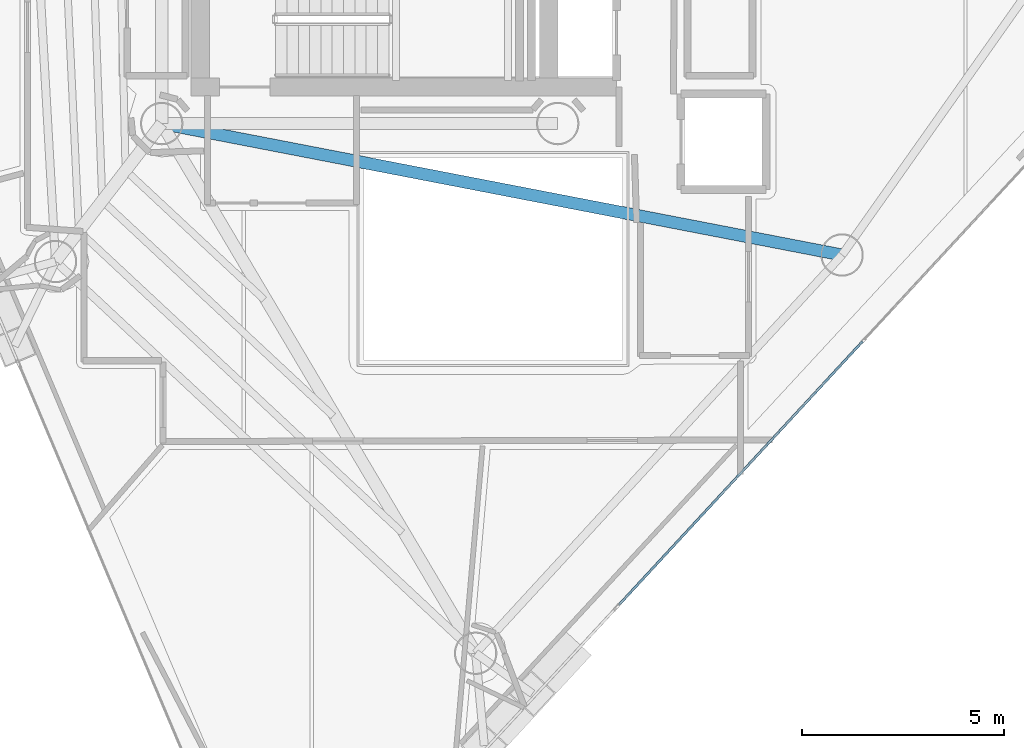
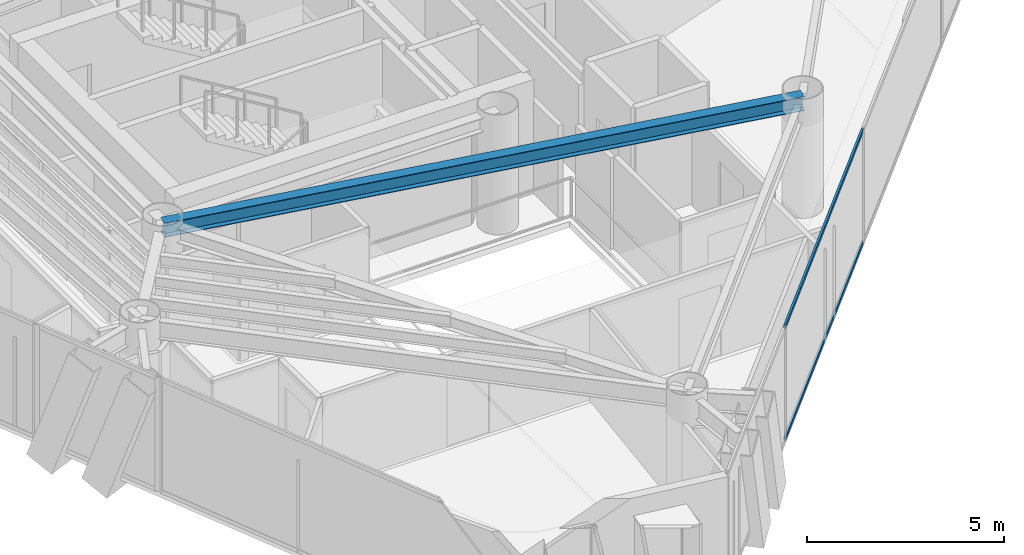
# One storey, part 5 of 21: 2 members, 1 beam, 1 element without a shape of its own.
"""IFC4 building model written with IfcOpenShell, lengths in metres."""

from ifc_helpers import new_model, si_unit, direction, frame, origin, origin_2d, place, context, subcontext, project, spatial, hollow_rectangle, i_section, extrude, material, layer, layer_set, material_profile, profile_set, type_object, element, aggregate, save


model = new_model("IFC4")

# Units and contexts
model_context = context("Model", 3, precision=1e-05, world=origin(), true_north=direction((0.0, 1.0)))
body_context = subcontext(model_context, "Body", "Model", "MODEL_VIEW")
ifc_project = project(units=[si_unit("LENGTHUNIT", "METRE"), si_unit("AREAUNIT", "SQUARE_METRE"), si_unit("VOLUMEUNIT", "CUBIC_METRE"), si_unit("PLANEANGLEUNIT", "RADIAN"), si_unit("MASSUNIT", "GRAM", prefix="KILO")], contexts=[model_context])

# Site, building, storey
site_placement = place(None, origin())
site = spatial("IfcSite", under=ifc_project, at=site_placement, CompositionType="ELEMENT")
building_placement = place(site_placement, origin())
building = spatial("IfcBuilding", under=site, at=building_placement, Name="Qianvela Tower", CompositionType="ELEMENT")
storey_placement = place(building_placement, frame((0.0, 0.0, 246.39990234375)))
storey = spatial("IfcBuildingStorey", under=building, at=storey_placement, Name="L63", CompositionType="ELEMENT", Elevation=246.39990234375)

# Beam
ifc_material_1 = material(Name="Steel Q355B", Category="steel")
ifc_material_profile_1 = material_profile(ifc_material_1, i_section(OverallWidth=0.300048828125, OverallDepth=0.43994140625, WebThickness=0.010986328125, FlangeThickness=0.01806640625, at=origin_2d()), Name="HM440x300x11x18")
ifc_profile_set_1 = profile_set([ifc_material_profile_1], Name="Steel Q355B")
beam_type = type_object("IfcBeamType", Name="BM-HM440-COLL", PredefinedType="BEAM", material=ifc_profile_set_1)
beam_placement = place(storey_placement, frame((28.60009765625, 23.85009765625, 3.298095703125), z_axis=(0.981849104236, -0.189663745904, 0.0), x_axis=(0.189663745904, 0.981849104236, 0.0)))
element("IfcBeam", 1, at=beam_placement, inside=storey, type_object=beam_type, Name="L63 Radial Primary Floor Girder 6", PredefinedType="BEAM", context=body_context, shape_type="SweptSolid", body=[
    extrude(i_section(OverallWidth=0.300048828125, OverallDepth=0.43994140625, WebThickness=0.010986328125, FlangeThickness=0.01806640625, at=origin_2d()), origin(), (0.0, 0.0, 1.0), 17.147216796875),
])

# Curtain wall, members
ifc_material_2 = material(Name="Anodised Architectural Aluminium and Low-E Glass", Category="aluminium")
ifc_layer = layer(ifc_material_2, 0.159912109375)
ifc_layer_set = layer_set([ifc_layer], Name="Anodised Architectural Aluminium and Low-E Glass")
curtain_wall_type = type_object("IfcCurtainWallType", Name="CW-COLIV-Z56", PredefinedType="USERDEFINED", material=ifc_layer_set)
curtain_wall_placement = place(storey_placement, origin())
curtain_wall = element("IfcCurtainWall", 2, at=curtain_wall_placement, inside=storey, type_object=curtain_wall_type, Name="L63 CW-COLIV-Z56 Curtain Wall 06B", ObjectType="CURTAIN_WALL_SYSTEM", PredefinedType="USERDEFINED")
ifc_material_3 = material(Name="Anodised Architectural Aluminium 6063-T6", Category="aluminium")
ifc_material_profile_2 = material_profile(ifc_material_3, hollow_rectangle(XDim=0.06005859375, YDim=0.114990234375, WallThickness=0.00390625, at=origin_2d()), Name="ALU-TRAN-60x115")
ifc_profile_set_2 = profile_set([ifc_material_profile_2], Name="Anodised Architectural Aluminium 6063-T6")
member_type = type_object("IfcMemberType", Name="CW-COLIV-Z56-TRAN", PredefinedType="USERDEFINED", material=ifc_profile_set_2)
member_1_placement = place(storey_placement, frame((39.91455078125, 11.939453125, 0.030029296875), z_axis=(0.679016418589, 0.734123084562, 0.0), x_axis=(-0.734123084562, 0.679016418589, 0.0)))
member_1 = element("IfcMember", 3, at=member_1_placement, type_object=member_type, Name="CW-5 transom 1.1", ObjectType="TRANSOM", PredefinedType="USERDEFINED", context=body_context, shape_type="SweptSolid", body=[
    extrude(hollow_rectangle(XDim=0.06005859375, YDim=0.114990234375, WallThickness=0.00390625, at=origin_2d()), origin(), (0.0, 0.0, 1.0), 8.87841796875),
])
member_2_placement = place(storey_placement, frame((39.91455078125, 11.939453125, 3.489990234375), z_axis=(0.679016418589, 0.734123084562, 0.0), x_axis=(-0.734123084562, 0.679016418589, 0.0)))
member_2 = element("IfcMember", 4, at=member_2_placement, type_object=member_type, Name="CW-5 transom 1.2", ObjectType="TRANSOM", PredefinedType="USERDEFINED", context=body_context, shape_type="SweptSolid", body=[
    extrude(hollow_rectangle(XDim=0.06005859375, YDim=0.114990234375, WallThickness=0.00390625, at=origin_2d()), origin(), (0.0, 0.0, 1.0), 8.87841796875),
])
aggregate(curtain_wall, [member_1, member_2])

save(model, "model.ifc")
